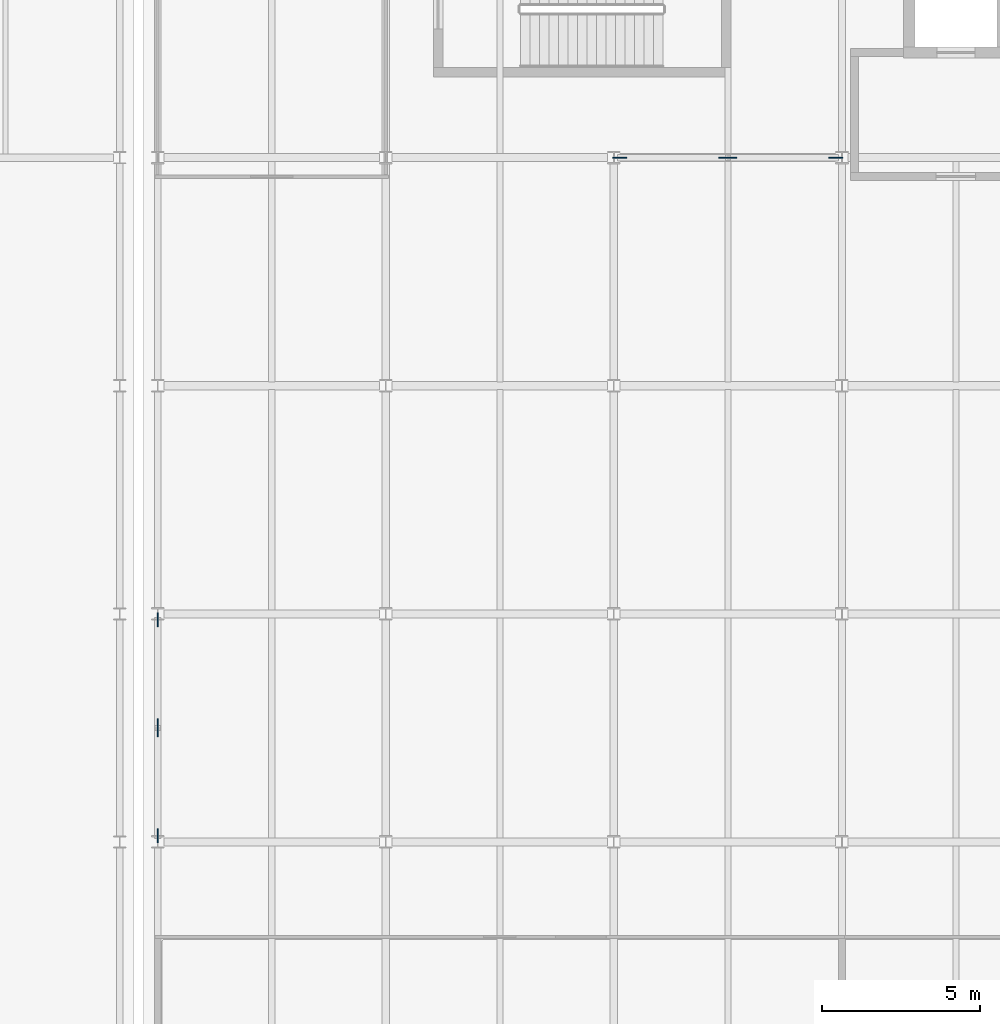
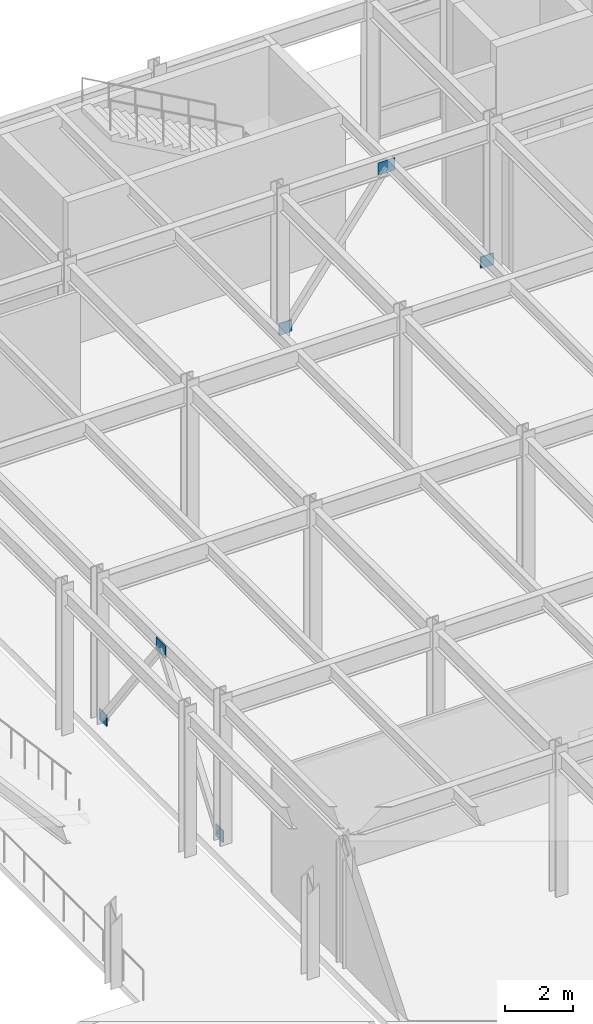
# One storey, part 67 of 104: 6 plates.
"""IFC4 building model written with IfcOpenShell, lengths in metres."""

from ifc_helpers import new_model, si_unit, direction, frame, origin, origin_2d, place, context, subcontext, project, spatial, rectangle, extrude, material, layer, layer_set, type_object, element, save


model = new_model("IFC4")

# Units and contexts
model_context = context("Model", 3, precision=1e-05, world=origin(), true_north=direction((0.0, 1.0)))
body_context = subcontext(model_context, "Body", "Model", "MODEL_VIEW")
ifc_project = project(units=[si_unit("LENGTHUNIT", "METRE"), si_unit("AREAUNIT", "SQUARE_METRE"), si_unit("VOLUMEUNIT", "CUBIC_METRE"), si_unit("PLANEANGLEUNIT", "RADIAN"), si_unit("MASSUNIT", "GRAM", prefix="KILO")], contexts=[model_context])

# Site, building, storey
site_placement = place(None, origin())
site = spatial("IfcSite", under=ifc_project, at=site_placement, CompositionType="ELEMENT")
building_placement = place(site_placement, origin())
building = spatial("IfcBuilding", under=site, at=building_placement, Name="Vaelcorin Mobility Hub", CompositionType="ELEMENT")
storey_placement = place(building_placement, origin())
storey = spatial("IfcBuildingStorey", under=building, at=storey_placement, Name="L00", CompositionType="ELEMENT", Elevation=0.0)

# Plates
ifc_material = material(Name="Steel ASTM A572 Grade 50", Category="steel")
ifc_layer = layer(ifc_material, 0.034912109375)
ifc_layer_set = layer_set([ifc_layer], Name="Steel ASTM A572 Grade 50")
plate_type = type_object("IfcPlateType", Name="PL-GN1", PredefinedType="USERDEFINED", material=ifc_layer_set)
for number, where, z_axis, x_axis, name in (
    (1, (50.590087890625, 112.800048828125, -0.030029296875), (0.0, 0.0, 1.0), (1.0, 0.0, 0.0), "SCBF Gusset Plate GN1 V4-BX1-L00-A"),
    (2, (57.409912109375, 112.800048828125, -0.030029296875), (0.0, 0.0, 1.0), (1.0, 0.0, 0.0), "SCBF Gusset Plate GN1 V4-BX1-L00-B"),
):
    element("IfcPlate", number, at=place(storey_placement, frame(where, z_axis=z_axis, x_axis=x_axis)), inside=storey, type_object=plate_type, Name=name, ObjectType="GUSSET PLATE", PredefinedType="USERDEFINED", context=body_context, shape_type="SweptSolid", body=[
        extrude(rectangle(XDim=0.43994140625, YDim=0.034912109375, at=origin_2d()), origin(), (0.0, 0.0, 1.0), 0.419921875),
    ])
plate_1_placement = place(storey_placement, frame((54.0, 112.800048828125, 4.530029296875), z_axis=(0.0, 0.0, 1.0), x_axis=(1.0, 0.0, 0.0)))
element("IfcPlate", 3, at=plate_1_placement, inside=storey, type_object=plate_type, Name="SCBF Apex Gusset GN1 V4-BX1-L00", ObjectType="GUSSET PLATE", PredefinedType="USERDEFINED", context=body_context, shape_type="SweptSolid", body=[
    extrude(rectangle(XDim=0.56005859375, YDim=0.034912109375, at=origin_2d()), origin(), (0.0, 0.0, 1.0), 0.43994140625),
])
for number, where, z_axis, x_axis, name in (
    (4, (36.0, 91.389892578125, -0.030029296875), (0.0, 0.0, 1.0), (0.0, 1.0, 0.0), "SCBF Gusset Plate GN1 V4-BY1-L00-A"),
    (5, (36.0, 98.2099609375, -0.030029296875), (0.0, 0.0, 1.0), (0.0, 1.0, 0.0), "SCBF Gusset Plate GN1 V4-BY1-L00-B"),
):
    element("IfcPlate", number, at=place(storey_placement, frame(where, z_axis=z_axis, x_axis=x_axis)), inside=storey, type_object=plate_type, Name=name, ObjectType="GUSSET PLATE", PredefinedType="USERDEFINED", context=body_context, shape_type="SweptSolid", body=[
        extrude(rectangle(XDim=0.43994140625, YDim=0.034912109375, at=origin_2d()), origin(), (0.0, 0.0, 1.0), 0.419921875),
    ])
plate_2_placement = place(storey_placement, frame((36.0, 94.800048828125, 4.530029296875), z_axis=(0.0, 0.0, 1.0), x_axis=(0.0, 1.0, 0.0)))
element("IfcPlate", 6, at=plate_2_placement, inside=storey, type_object=plate_type, Name="SCBF Apex Gusset GN1 V4-BY1-L00", ObjectType="GUSSET PLATE", PredefinedType="USERDEFINED", context=body_context, shape_type="SweptSolid", body=[
    extrude(rectangle(XDim=0.56005859375, YDim=0.034912109375, at=origin_2d()), origin(), (0.0, 0.0, 1.0), 0.43994140625),
])

save(model, "model.ifc")
